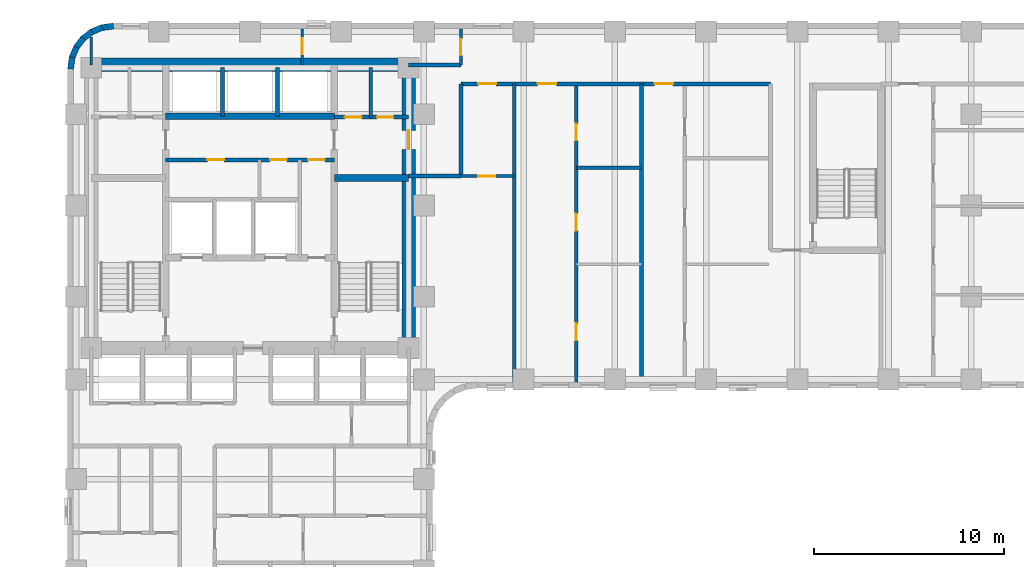
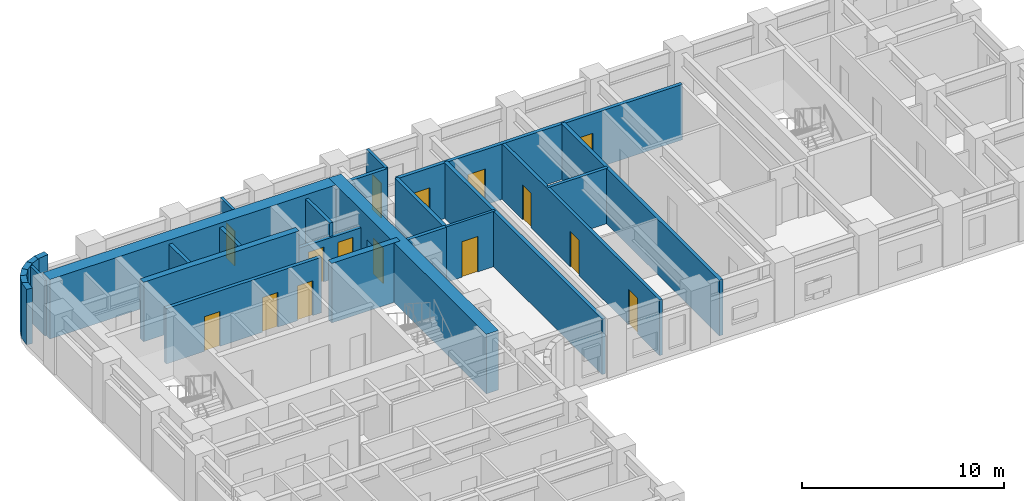
# One storey, part 6 of 11: 27 walls, 15 doors, 15 openings.
"""IFC4 building model written with IfcOpenShell, lengths in metres."""

import ifcopenshell
import ifcopenshell.guid

model = None  # the IFC model being written
_history = None  # IfcOwnerHistory: only IFC2X3 demands one
_inside = {}  # id of a spatial element -> (the spatial element, [elements in it])
_under = {}  # id of a project, library or spatial element -> (it, [spatial elements below it])
_declared = {}  # id of a project -> (the project, [libraries it declares])
_typed = {}  # id of a type object -> (the type object, [elements of that type])
_made_of = {}  # id of a material, layer set ... -> (it, [elements and type objects made of it])


def new_model(schema):
    """Start an empty IFC model of exactly this schema.

    Asked for "IFC4X3", IfcOpenShell would pick the latest addendum, in which some entities
    have other attributes; the version numbers below select the first issue.
    IFC2X3 requires an IfcOwnerHistory on every rooted entity: one is made here for all.
    """
    global model, _history
    if schema == "IFC4X3":
        model = ifcopenshell.file(schema_version=(4, 3, 0, 0))
    else:
        model = ifcopenshell.file(schema=schema)
    _inside.clear()
    _under.clear()
    _declared.clear()
    _typed.clear()
    _made_of.clear()
    _history = None
    if model.schema == "IFC2X3":
        org = make("IfcOrganization", Name="unknown")
        user = make(
            "IfcPersonAndOrganization",
            ThePerson=make("IfcPerson", FamilyName="unknown"),
            TheOrganization=org,
        )
        app = make(
            "IfcApplication",
            ApplicationDeveloper=org,
            Version="unknown",
            ApplicationFullName="unknown",
            ApplicationIdentifier="unknown",
        )
        _history = make(
            "IfcOwnerHistory",
            OwningUser=user,
            OwningApplication=app,
            ChangeAction="ADDED",
            CreationDate=0,
        )
    return model


def make(cls, **values):
    """One entity of the class cls with the attributes given. An attribute that is None is left unset."""
    return model.create_entity(
        cls, **{name: value for name, value in values.items() if value is not None}
    )


def rooted(cls, **values):
    """An entity with a GlobalId (a new one), such as an element, a storey or a relation."""
    return make(cls, GlobalId=ifcopenshell.guid.new(), OwnerHistory=_history, **values)


def si_unit(unit_type, name, prefix=None):
    """IfcSIUnit, for example si_unit("LENGTHUNIT", "METRE", prefix="MILLI")."""
    return make("IfcSIUnit", UnitType=unit_type, Prefix=prefix, Name=name)


def assignment(units):
    """IfcUnitAssignment: the units of a project."""
    return None if units is None else make("IfcUnitAssignment", Units=units)


def point(xyz):
    """IfcCartesianPoint."""
    return None if xyz is None else make("IfcCartesianPoint", Coordinates=xyz)


def direction(xyz):
    """IfcDirection."""
    return None if xyz is None else make("IfcDirection", DirectionRatios=xyz)


def frame(location, z_axis=None, x_axis=None):
    """IfcAxis2Placement3D, a coordinate frame: its origin and axes. An axis left out is left unset."""
    return make(
        "IfcAxis2Placement3D",
        Location=point(location),
        Axis=direction(z_axis),
        RefDirection=direction(x_axis),
    )


def frame_2d(location, x_axis=None):
    """IfcAxis2Placement2D, a coordinate frame in the plane: its origin and x axis."""
    return make(
        "IfcAxis2Placement2D", Location=point(location), RefDirection=direction(x_axis)
    )


def origin():
    """The frame at (0, 0, 0) with its axes left unset."""
    return frame((0.0, 0.0, 0.0))


def place(relative_to, where):
    """IfcLocalPlacement: puts the frame where relative to a parent placement (None: the world)."""
    return make(
        "IfcLocalPlacement", PlacementRelTo=relative_to, RelativePlacement=where
    )


def context(
    kind, dimensions, precision=None, world=None, true_north=None, identifier=None
):
    """IfcGeometricRepresentationContext, for example the 3D "Model" context."""
    return make(
        "IfcGeometricRepresentationContext",
        ContextIdentifier=identifier,
        ContextType=kind,
        CoordinateSpaceDimension=dimensions,
        Precision=precision,
        WorldCoordinateSystem=world,
        TrueNorth=true_north,
    )


def subcontext(parent, identifier, kind, view, scale=None):
    """IfcGeometricRepresentationSubContext, for example "Body" below "Model"."""
    return make(
        "IfcGeometricRepresentationSubContext",
        ContextIdentifier=identifier,
        ContextType=kind,
        ParentContext=parent,
        TargetScale=scale,
        TargetView=view,
    )


def project(units=None, contexts=None):
    """IfcProject with its units and contexts."""
    return rooted(
        "IfcProject",
        Name="project",
        RepresentationContexts=contexts,
        UnitsInContext=assignment(units),
    )


def spatial(cls, under=None, at=None, **own):
    """A site, building, storey or space (cls), placed at a placement, below another one or the project."""
    s = rooted(cls, ObjectPlacement=at, **own)
    if under is not None:
        _under.setdefault(under.id(), (under, []))[1].append(s)
    return s


def profile(cls, at=None, kind="AREA", **sizes):
    """A parametric profile (cls). Its sizes go by their IFC names, for example OverallWidth=200.0."""
    return make(cls, ProfileType=kind, Position=at, **sizes)


def rectangle(**sizes):
    """IfcRectangleProfileDef."""
    return profile("IfcRectangleProfileDef", **sizes)


def extrude(swept, where, along, depth):
    """IfcExtrudedAreaSolid: the profile swept, set in the frame where, extruded along a direction by depth."""
    return make(
        "IfcExtrudedAreaSolid",
        SweptArea=swept,
        Position=where,
        ExtrudedDirection=direction(along),
        Depth=depth,
    )


def shape(context_of_items, identifier, shape_type, items):
    """IfcShapeRepresentation: the items that make up one representation, for example the "Body"."""
    return make(
        "IfcShapeRepresentation",
        ContextOfItems=context_of_items,
        RepresentationIdentifier=identifier,
        RepresentationType=shape_type,
        Items=items,
    )


def material(Name=None, Category=None):
    """IfcMaterial."""
    return make("IfcMaterial", Name=Name, Category=Category)


def layer(
    of_material, thickness, ventilated=None, Name=None, Category=None, Priority=None
):
    """IfcMaterialLayer: one layer of a wall or slab, of a material (None: an air gap)."""
    return make(
        "IfcMaterialLayer",
        Material=of_material,
        LayerThickness=thickness,
        IsVentilated=ventilated,
        Name=Name,
        Category=Category,
        Priority=Priority,
    )


def layer_set(layers, Name=None):
    """IfcMaterialLayerSet."""
    return make("IfcMaterialLayerSet", MaterialLayers=layers, LayerSetName=Name)


def made_of(thing, what):
    """Note that an element or type object is made of a material, layer set ...; save() writes the relation."""
    if what is not None:
        _made_of.setdefault(what.id(), (what, []))[1].append(thing)
    return thing


def type_object(cls, material=None, **own):
    """A type object (cls), such as IfcWallType, which elements share."""
    return made_of(rooted(cls, **own), material)


def element(
    cls,
    number,
    at=None,
    inside=None,
    cuts=None,
    type_object=None,
    material=None,
    context=None,
    identifier="Body",
    shape_type=None,
    held_by="IfcProductDefinitionShape",
    body=None,
    shapes=None,
    **own,
):
    """One element of the class cls, such as IfcWall. Its Tag is "e" and its number.

    at: its placement. inside: the storey or other place that contains it. cuts: it is an
    opening in that element (IfcRelVoidsElement). A single representation is given by context,
    identifier, shape_type and body (its items); several are given by shapes. held_by: the class
    of the entity that holds the representations. save() writes the other relations.
    """
    e = rooted(cls, Tag="e%d" % number, ObjectPlacement=at, **own)
    if body is not None:
        shapes = [shape(context, identifier, shape_type, body)]
    if shapes is not None:
        e.Representation = make(held_by, Representations=shapes)
    if inside is not None:
        _inside.setdefault(inside.id(), (inside, []))[1].append(e)
    if cuts is not None:
        rooted(
            "IfcRelVoidsElement", RelatingBuildingElement=cuts, RelatedOpeningElement=e
        )
    if type_object is not None:
        _typed.setdefault(type_object.id(), (type_object, []))[1].append(e)
    return made_of(e, material)


def fill(opening, filler):
    """IfcRelFillsElement: the door or window that sits in an opening."""
    return rooted(
        "IfcRelFillsElement",
        RelatingOpeningElement=opening,
        RelatedBuildingElement=filler,
    )


def aggregate(whole, parts):
    """IfcRelAggregates: a whole, such as a stair, and the parts it consists of."""
    return rooted("IfcRelAggregates", RelatingObject=whole, RelatedObjects=parts)


def save(model, path):
    """Write the relations noted so far, then the file.

    IfcRelAggregates (storeys below a building ...), IfcRelContainedInSpatialStructure (elements
    in a storey), IfcRelDefinesByType, IfcRelAssociatesMaterial and IfcRelDeclares: one each for
    every whole, place, type object, material and project.
    """
    for whole, parts in _under.values():
        aggregate(whole, parts)
    for where, things in _inside.values():
        rooted(
            "IfcRelContainedInSpatialStructure",
            RelatedElements=things,
            RelatingStructure=where,
        )
    for kind, things in _typed.values():
        rooted("IfcRelDefinesByType", RelatedObjects=things, RelatingType=kind)
    for what, things in _made_of.values():
        rooted("IfcRelAssociatesMaterial", RelatedObjects=things, RelatingMaterial=what)
    for by, libraries in _declared.values():
        rooted("IfcRelDeclares", RelatingContext=by, RelatedDefinitions=libraries)
    model.write(path)


model = new_model("IFC4")

# Units and contexts
model_context = context("Model", 3, precision=1e-05, world=origin(), true_north=direction((0.0, 1.0)))
body_context = subcontext(model_context, "Body", "Model", "MODEL_VIEW")
ifc_project = project(units=[si_unit("LENGTHUNIT", "METRE"), si_unit("AREAUNIT", "SQUARE_METRE"), si_unit("VOLUMEUNIT", "CUBIC_METRE"), si_unit("PLANEANGLEUNIT", "RADIAN"), si_unit("MASSUNIT", "GRAM", prefix="KILO")], contexts=[model_context])

# Site, building, storey
site_placement = place(None, origin())
site = spatial("IfcSite", under=ifc_project, at=site_placement, CompositionType="ELEMENT")
building_placement = place(site_placement, origin())
building = spatial("IfcBuilding", under=site, at=building_placement, Name="Orvandelia Arch Residences", CompositionType="ELEMENT")
storey_placement = place(building_placement, frame((0.0, 0.0, 89.800048828125)))
storey = spatial("IfcBuildingStorey", under=building, at=storey_placement, Name="L23", CompositionType="ELEMENT", Elevation=89.800048828125)

# Walls
ifc_material_1 = material(Name="Concrete C50/60", Category="concrete")
ifc_layer_1 = layer(ifc_material_1, 0.35009765625, Name="Concrete C50/60", Category="concrete")
ifc_layer_set_1 = layer_set([ifc_layer_1], Name="Concrete C50/60")
wall_type_1 = type_object("IfcWallType", Name="WL-CORE-350", PredefinedType="SHEAR", material=ifc_layer_set_1)
wall_1_placement = place(storey_placement, frame((18.840087890625, 39.85009765625, 0.0), z_axis=(0.0, 0.0, 1.0), x_axis=(1.0, 0.0, 0.0)))
element("IfcWall", 1, at=wall_1_placement, inside=storey, type_object=wall_type_1, Name="Core Shear Wall L23-HZ2", PredefinedType="SHEAR", context=body_context, shape_type="SweptSolid", body=[
    extrude(rectangle(XDim=3.909912109375, YDim=0.35009765625, at=frame_2d((1.955078125, 0.0))), origin(), (0.0, 0.0, 1.0), 3.599853515625),
])
wall_2_placement = place(storey_placement, frame((9.9599609375, 43.10009765625, 0.0), z_axis=(0.0, 0.0, 1.0), x_axis=(1.0, 0.0, 0.0)))
element("IfcWall", 2, at=wall_2_placement, inside=storey, type_object=wall_type_1, Name="Core Shear Wall L23-HZ4", PredefinedType="SHEAR", context=body_context, shape_type="SweptSolid", body=[
    extrude(rectangle(XDim=8.880126953125, YDim=0.35009765625, at=frame_2d((4.43994140625, 0.0))), origin(), (0.0, 0.0, 1.0), 3.599853515625),
])

# Wall, opening, door
ifc_material_2 = material(Name="Concrete C80/95", Category="concrete")
ifc_layer_2 = layer(ifc_material_2, 0.699951171875, Name="Concrete C80/95", Category="concrete")
ifc_layer_set_2 = layer_set([ifc_layer_2], Name="Concrete C80/95")
wall_type_2 = type_object("IfcWallType", Name="WL-CORE-700", PredefinedType="SHEAR", material=ifc_layer_set_2)
wall_3_placement = place(storey_placement, frame((22.75, 30.550048828125, 0.0), z_axis=(0.0, 0.0, 1.0), x_axis=(0.0, 1.0, 0.0)))
wall_3 = element("IfcWall", 3, at=wall_3_placement, inside=storey, type_object=wall_type_2, Name="Core Shear Wall L23-E", PredefinedType="SHEAR", context=body_context, shape_type="SweptSolid", body=[
    extrude(rectangle(XDim=15.599853515625, YDim=0.699951171875, at=frame_2d((7.7998046875, 0.0))), origin(), (0.0, 0.0, 1.0), 3.599853515625),
])
opening_1_placement = place(wall_3_placement, frame((10.800048828125, 0.0, 0.0)))
opening_1 = element("IfcOpeningElement", 4, at=opening_1_placement, cuts=wall_3, Name="Opening D6", PredefinedType="OPENING", context=body_context, shape_type="SweptSolid", body=[
    extrude(rectangle(XDim=1.0, YDim=2.14990234375, at=frame_2d((0.5, 1.074951171875))), frame((0.0, 0.35986328125, 0.0), z_axis=(0.0, -1.0, 0.0), x_axis=(1.0, 0.0, 0.0)), (0.0, 0.0, 1.0), 0.719970703125),
])
ifc_material_3 = material(Name="Smokeproof Painted Steel Fire Door", Category="steel")
door_type_1 = type_object("IfcDoorType", Name="DR-FD60-1000", OperationType="NOTDEFINED", PredefinedType="DOOR", material=ifc_material_3)
door_1_placement = place(opening_1_placement, origin())
door_1 = element("IfcDoor", 5, at=door_1_placement, inside=storey, type_object=door_type_1, Name="Core East Corridor Link Door L23", OperationType="SINGLE_SWING_LEFT", OverallHeight=2.14990234375, OverallWidth=1.0, PredefinedType="DOOR", context=body_context, shape_type="SweptSolid", body=[
    extrude(rectangle(XDim=1.0, YDim=2.14990234375, at=frame_2d((0.5, 1.074951171875))), frame((0.0, 0.02490234375, 0.0), z_axis=(0.0, -1.0, 0.0), x_axis=(1.0, 0.0, 0.0)), (0.0, 0.0, 1.0), 0.050048828125),
])
fill(opening_1, door_1)

# Walls
wall_4_placement = place(storey_placement, frame((6.050048828125, 45.800048828125, 0.0), z_axis=(0.0, 0.0, 1.0), x_axis=(1.0, 0.0, 0.0)))
element("IfcWall", 6, at=wall_4_placement, inside=storey, type_object=wall_type_2, Name="Core Shear Wall L23-N", PredefinedType="SHEAR", context=body_context, shape_type="SweptSolid", body=[
    extrude(rectangle(XDim=16.699951171875, YDim=0.699951171875, at=frame_2d((8.35009765625, 0.0))), origin(), (0.0, 0.0, 1.0), 3.599853515625),
])
ifc_material_4 = material(Name="Fire-Rated Corridor Partition")
ifc_layer_3 = layer(ifc_material_4, 0.199951171875, Name="Fire-Rated Corridor Partition")
ifc_layer_set_3 = layer_set([ifc_layer_3], Name="Fire-Rated Corridor Partition")
wall_type_3 = type_object("IfcWallType", Name="WL-CORR-200", PredefinedType="PARTITIONING", material=ifc_layer_set_3)
wall_5_placement = place(storey_placement, frame((22.75, 45.800048828125, 0.0), z_axis=(0.0, 0.0, 1.0), x_axis=(1.0, 0.0, 0.0)))
element("IfcWall", 7, at=wall_5_placement, inside=storey, type_object=wall_type_3, Name="Interior Partition Wall WL-L23-NCE-S", PredefinedType="PARTITIONING", context=body_context, shape_type="SweptSolid", body=[
    extrude(rectangle(XDim=2.75, YDim=0.199951171875, at=frame_2d((1.375, 0.0))), origin(), (0.0, 0.0, 1.0), 3.349853515625),
])

# Wall, openings, doors
wall_6_placement = place(storey_placement, frame((25.5, 44.800048828125, 0.0), z_axis=(0.0, 0.0, 1.0), x_axis=(1.0, 0.0, 0.0)))
wall_6 = element("IfcWall", 8, at=wall_6_placement, inside=storey, type_object=wall_type_3, Name="Interior Partition Wall WL-L23-EN2-S1", PredefinedType="PARTITIONING", context=body_context, shape_type="SweptSolid", body=[
    extrude(rectangle(XDim=16.280029296875, YDim=0.199951171875, at=frame_2d((8.14013671875, 0.0))), origin(), (0.0, 0.0, 1.0), 3.349853515625),
])
opening_2_placement = place(wall_6_placement, frame((0.89990234375, 0.0, 0.0)))
opening_2 = element("IfcOpeningElement", 9, at=opening_2_placement, cuts=wall_6, Name="Opening D2", PredefinedType="OPENING", context=body_context, shape_type="SweptSolid", body=[
    extrude(rectangle(XDim=0.949951171875, YDim=2.14990234375, at=frame_2d((0.47509765625, 1.074951171875))), frame((0.0, 0.10986328125, 0.0), z_axis=(0.0, -1.0, 0.0), x_axis=(1.0, 0.0, 0.0)), (0.0, 0.0, 1.0), 0.219970703125),
])
opening_3_placement = place(wall_6_placement, frame((4.035400390625, 0.0, 0.0)))
opening_3 = element("IfcOpeningElement", 10, at=opening_3_placement, cuts=wall_6, Name="Opening D1", PredefinedType="OPENING", context=body_context, shape_type="SweptSolid", body=[
    extrude(rectangle(XDim=0.97998046875, YDim=2.179931640625, at=frame_2d((0.489990234375, 1.08984375))), frame((0.0, 0.10986328125, 0.0), z_axis=(0.0, -1.0, 0.0), x_axis=(1.0, 0.0, 0.0)), (0.0, 0.0, 1.0), 0.219970703125),
])
opening_4_placement = place(wall_6_placement, frame((10.18994140625, 0.0, 0.0)))
opening_4 = element("IfcOpeningElement", 11, at=opening_4_placement, cuts=wall_6, Name="Opening D1", PredefinedType="OPENING", context=body_context, shape_type="SweptSolid", body=[
    extrude(rectangle(XDim=0.97998046875, YDim=2.179931640625, at=frame_2d((0.489990234375, 1.08984375))), frame((0.0, 0.10986328125, 0.0), z_axis=(0.0, -1.0, 0.0), x_axis=(1.0, 0.0, 0.0)), (0.0, 0.0, 1.0), 0.219970703125),
])
ifc_material_5 = material(Name="Solid-Core Timber Interior Fire Door", Category="wood")
door_type_2 = type_object("IfcDoorType", Name="DR-APT-950", OperationType="NOTDEFINED", PredefinedType="DOOR", material=ifc_material_5)
door_2_placement = place(opening_2_placement, origin())
door_2 = element("IfcDoor", 12, at=door_2_placement, inside=storey, type_object=door_type_2, Name="DR-L23-EN2KLD", OperationType="SINGLE_SWING_LEFT", OverallHeight=2.14990234375, OverallWidth=0.949951171875, PredefinedType="DOOR", context=body_context, shape_type="SweptSolid", body=[
    extrude(rectangle(XDim=0.949951171875, YDim=2.14990234375, at=frame_2d((0.47509765625, 1.074951171875))), frame((0.0, 0.02490234375, 0.0), z_axis=(0.0, -1.0, 0.0), x_axis=(1.0, 0.0, 0.0)), (0.0, 0.0, 1.0), 0.050048828125),
])
fill(opening_2, door_2)
ifc_material_6 = material(Name="Solid-Core Timber Acoustic Fire Door", Category="wood")
door_type_3 = type_object("IfcDoorType", Name="DR-ENT-980", OperationType="NOTDEFINED", PredefinedType="DOOR", material=ifc_material_6)
door_3_placement = place(opening_3_placement, origin())
door_3 = element("IfcDoor", 13, at=door_3_placement, inside=storey, type_object=door_type_3, Name="Unit L23-06 Entrance Door", OperationType="SINGLE_SWING_RIGHT", OverallHeight=2.179931640625, OverallWidth=0.97998046875, PredefinedType="DOOR", context=body_context, shape_type="SweptSolid", body=[
    extrude(rectangle(XDim=0.97998046875, YDim=2.179931640625, at=frame_2d((0.489990234375, 1.08984375))), frame((0.0, 0.02490234375, 0.0), z_axis=(0.0, -1.0, 0.0), x_axis=(1.0, 0.0, 0.0)), (0.0, 0.0, 1.0), 0.050048828125),
])
fill(opening_3, door_3)
door_4_placement = place(opening_4_placement, origin())
door_4 = element("IfcDoor", 14, at=door_4_placement, inside=storey, type_object=door_type_3, Name="Unit L23-07 Entrance Door", OperationType="SINGLE_SWING_LEFT", OverallHeight=2.179931640625, OverallWidth=0.97998046875, PredefinedType="DOOR", context=body_context, shape_type="SweptSolid", body=[
    extrude(rectangle(XDim=0.97998046875, YDim=2.179931640625, at=frame_2d((0.489990234375, 1.08984375))), frame((0.0, 0.02490234375, 0.0), z_axis=(0.0, -1.0, 0.0), x_axis=(1.0, 0.0, 0.0)), (0.0, 0.0, 1.0), 0.050048828125),
])
fill(opening_4, door_4)

# Walls
wall_7_placement = place(storey_placement, frame((25.5, 39.949951171875, 0.0), z_axis=(0.0, 0.0, 1.0), x_axis=(0.0, 1.0, 0.0)))
element("IfcWall", 15, at=wall_7_placement, inside=storey, type_object=wall_type_3, Name="Interior Partition Wall WL-L23-EN2-LW", PredefinedType="PARTITIONING", context=body_context, shape_type="SweptSolid", body=[
    extrude(rectangle(XDim=4.85009765625, YDim=0.199951171875, at=frame_2d((2.425048828125, 0.0))), origin(), (0.0, 0.0, 1.0), 3.349853515625),
])
wall_8_placement = place(storey_placement, frame((22.75, 39.949951171875, 0.0), z_axis=(0.0, 0.0, 1.0), x_axis=(1.0, 0.0, 0.0)))
element("IfcWall", 16, at=wall_8_placement, inside=storey, type_object=wall_type_3, Name="Interior Partition Wall WL-L23-EN2-LS", PredefinedType="PARTITIONING", context=body_context, shape_type="SweptSolid", body=[
    extrude(rectangle(XDim=2.75, YDim=0.199951171875, at=frame_2d((1.375, 0.0))), origin(), (0.0, 0.0, 1.0), 3.349853515625),
])
ifc_material_7 = material(Name="Concrete C40/50", Category="concrete")
ifc_layer_4 = layer(ifc_material_7, 0.199951171875, Name="Concrete C40/50", Category="concrete")
ifc_layer_set_4 = layer_set([ifc_layer_4], Name="Concrete C40/50")
wall_type_4 = type_object("IfcWallType", Name="WL-DEM-200", PredefinedType="SOLIDWALL", material=ifc_layer_set_4)
for number, where, z_axis, x_axis, name in (
    (17, (28.300048828125, 29.1201171875, 0.0), (0.0, 0.0, 1.0), (0.0, 1.0, 0.0), "Interior Partition Wall WL-L23-EN2-KLE"),
    (18, (35.0, 29.1201171875, 0.0), (0.0, 0.0, 1.0), (0.0, 1.0, 0.0), "Interior Partition Wall WL-L23-DEM-EN2-350"),
):
    element("IfcWall", number, at=place(storey_placement, frame(where, z_axis=z_axis, x_axis=x_axis)), inside=storey, type_object=wall_type_4, Name=name, PredefinedType="SOLIDWALL", context=body_context, shape_type="SweptSolid", body=[
        extrude(rectangle(XDim=15.679931640625, YDim=0.199951171875, at=frame_2d((7.83984375, 0.0))), origin(), (0.0, 0.0, 1.0), 3.349853515625),
    ])
ifc_material_8 = material(Name="Precast concrete C40/50", Category="concrete")
ifc_layer_5 = layer(ifc_material_8, 0.320068359375, Name="Precast concrete C40/50", Category="concrete")
ifc_layer_set_5 = layer_set([ifc_layer_5], Name="Precast concrete C40/50")
wall_type_5 = type_object("IfcWallType", Name="WL-EXT-STONE-320", PredefinedType="STANDARD", material=ifc_layer_set_5)
for number, where, z_axis, x_axis, name in (
    (19, (4.95849609375, 45.5791015625, 0.0), (0.0, 0.0, 1.0), (0.130555323746, 0.9914410257, 0.0), "Coral-Limestone Precast Facade Wall L23-001"),
    (20, (5.029541015625, 46.159912109375, 0.0), (0.0, 0.0, 1.0), (0.382650053678, 0.92389335771, 0.0), "Coral-Limestone Precast Facade Wall L23-002"),
):
    element("IfcWall", number, at=place(storey_placement, frame(where, z_axis=z_axis, x_axis=x_axis)), inside=storey, type_object=wall_type_5, Name=name, PredefinedType="STANDARD", context=body_context, shape_type="SweptSolid", body=[
        extrude(rectangle(XDim=0.62646484375, YDim=0.320068359375, at=frame_2d((0.313232421875, 0.0))), origin(), (0.0, 0.0, 1.0), 3.349853515625),
    ])
wall_9_placement = place(storey_placement, frame((5.248291015625, 46.70263671875, 0.0), z_axis=(0.0, 0.0, 1.0), x_axis=(0.608938521285, 0.7932174212, 0.0)))
element("IfcWall", 21, at=wall_9_placement, inside=storey, type_object=wall_type_5, Name="Coral-Limestone Precast Facade Wall L23-003", PredefinedType="STANDARD", context=body_context, shape_type="SweptSolid", body=[
    extrude(rectangle(XDim=0.626708984375, YDim=0.320068359375, at=frame_2d((0.3134765625, 0.0))), origin(), (0.0, 0.0, 1.0), 3.349853515625),
])
wall_10_placement = place(storey_placement, frame((5.600341796875, 47.170166015625, 0.0), z_axis=(0.0, 0.0, 1.0), x_axis=(0.793405610854, 0.608693302629, 0.0)))
element("IfcWall", 22, at=wall_10_placement, inside=storey, type_object=wall_type_5, Name="Coral-Limestone Precast Facade Wall L23-004", PredefinedType="STANDARD", context=body_context, shape_type="SweptSolid", body=[
    extrude(rectangle(XDim=0.62646484375, YDim=0.320068359375, at=frame_2d((0.313232421875, 0.0))), origin(), (0.0, 0.0, 1.0), 3.349853515625),
])
wall_11_placement = place(storey_placement, frame((6.061279296875, 47.53076171875, 0.0), z_axis=(0.0, 0.0, 1.0), x_axis=(0.923836271867, 0.382787856107, 0.0)))
element("IfcWall", 23, at=wall_11_placement, inside=storey, type_object=wall_type_5, Name="Coral-Limestone Precast Facade Wall L23-005", PredefinedType="STANDARD", context=body_context, shape_type="SweptSolid", body=[
    extrude(rectangle(XDim=0.626220703125, YDim=0.320068359375, at=frame_2d((0.31298828125, 0.0))), origin(), (0.0, 0.0, 1.0), 3.349853515625),
])
wall_12_placement = place(storey_placement, frame((6.599609375, 47.759521484375, 0.0), z_axis=(0.0, 0.0, 1.0), x_axis=(0.991447664465, 0.130504898859, 0.0)))
element("IfcWall", 24, at=wall_12_placement, inside=storey, type_object=wall_type_5, Name="Coral-Limestone Precast Facade Wall L23-006", PredefinedType="STANDARD", context=body_context, shape_type="SweptSolid", body=[
    extrude(rectangle(XDim=0.626708984375, YDim=0.320068359375, at=frame_2d((0.3134765625, 0.0))), origin(), (0.0, 0.0, 1.0), 3.349853515625),
])

# Wall, opening, door
ifc_material_9 = material(Name="Acoustic Gypsum Stud Partition")
ifc_layer_6 = layer(ifc_material_9, 0.14990234375, Name="Acoustic Gypsum Stud Partition")
ifc_layer_set_6 = layer_set([ifc_layer_6], Name="Acoustic Gypsum Stud Partition")
wall_type_6 = type_object("IfcWallType", Name="WL-PART-150", PredefinedType="PARTITIONING", material=ifc_layer_set_6)
wall_13_placement = place(storey_placement, frame((25.5, 45.800048828125, 0.0), z_axis=(0.0, 0.0, 1.0), x_axis=(0.0, 1.0, 0.0)))
wall_13 = element("IfcWall", 25, at=wall_13_placement, inside=storey, type_object=wall_type_6, Name="Interior Partition Wall WL-L23-NCE-W", PredefinedType="PARTITIONING", context=body_context, shape_type="SweptSolid", body=[
    extrude(rectangle(XDim=1.8798828125, YDim=0.14990234375, at=frame_2d((0.93994140625, 0.0))), origin(), (0.0, 0.0, 1.0), 3.349853515625),
])
opening_5_placement = place(wall_13_placement, frame((0.5, 0.0, 0.0)))
opening_5 = element("IfcOpeningElement", 26, at=opening_5_placement, cuts=wall_13, Name="Opening D5", PredefinedType="OPENING", context=body_context, shape_type="SweptSolid", body=[
    extrude(rectangle(XDim=0.8798828125, YDim=2.10009765625, at=frame_2d((0.43994140625, 1.050048828125))), frame((0.0, 0.0849609375, 0.0), z_axis=(0.0, -1.0, 0.0), x_axis=(1.0, 0.0, 0.0)), (0.0, 0.0, 1.0), 0.169921875),
])
ifc_material_10 = material(Name="Painted Galvanised Steel Service Door", Category="steel")
door_type_4 = type_object("IfcDoorType", Name="DR-SRV-880", OperationType="NOTDEFINED", PredefinedType="DOOR", material=ifc_material_10)
door_5_placement = place(opening_5_placement, origin())
door_5 = element("IfcDoor", 27, at=door_5_placement, inside=storey, type_object=door_type_4, Name="DR-L23-NCS2", OperationType="SINGLE_SWING_LEFT", OverallHeight=2.10009765625, OverallWidth=0.8798828125, PredefinedType="DOOR", context=body_context, shape_type="SweptSolid", body=[
    extrude(rectangle(XDim=0.8798828125, YDim=2.10009765625, at=frame_2d((0.43994140625, 1.050048828125))), frame((0.0, 0.02490234375, 0.0), z_axis=(0.0, -1.0, 0.0), x_axis=(1.0, 0.0, 0.0)), (0.0, 0.0, 1.0), 0.050048828125),
])
fill(opening_5, door_5)

# Wall
wall_14_placement = place(storey_placement, frame((6.050048828125, 45.800048828125, 0.0), z_axis=(0.0, 0.0, 1.0), x_axis=(0.0, 1.0, 0.0)))
element("IfcWall", 28, at=wall_14_placement, inside=storey, type_object=wall_type_6, Name="Interior Partition Wall WL-L23-NC-W6", PredefinedType="PARTITIONING", context=body_context, shape_type="SweptSolid", body=[
    extrude(rectangle(XDim=1.4599609375, YDim=0.14990234375, at=frame_2d((0.72998046875, 0.0))), origin(), (0.0, 0.0, 1.0), 3.349853515625),
])

# Wall, opening, door
wall_15_placement = place(storey_placement, frame((17.14990234375, 45.800048828125, 0.0), z_axis=(0.0, 0.0, 1.0), x_axis=(0.0, 1.0, 0.0)))
wall_15 = element("IfcWall", 29, at=wall_15_placement, inside=storey, type_object=wall_type_6, Name="Interior Partition Wall WL-L23-NC-M", PredefinedType="PARTITIONING", context=body_context, shape_type="SweptSolid", body=[
    extrude(rectangle(XDim=1.8798828125, YDim=0.14990234375, at=frame_2d((0.93994140625, 0.0))), origin(), (0.0, 0.0, 1.0), 3.349853515625),
])
opening_6_placement = place(wall_15_placement, frame((0.550048828125, 0.0, 0.0)))
opening_6 = element("IfcOpeningElement", 30, at=opening_6_placement, cuts=wall_15, Name="Opening D4", PredefinedType="OPENING", context=body_context, shape_type="SweptSolid", body=[
    extrude(rectangle(XDim=0.860107421875, YDim=2.10009765625, at=frame_2d((0.43017578125, 1.050048828125))), frame((0.0, 0.0849609375, 0.0), z_axis=(0.0, -1.0, 0.0), x_axis=(1.0, 0.0, 0.0)), (0.0, 0.0, 1.0), 0.169921875),
])
ifc_material_11 = material(Name="Moisture-Sealed Timber Bathroom Door", Category="wood")
door_type_5 = type_object("IfcDoorType", Name="DR-WET-900", OperationType="NOTDEFINED", PredefinedType="DOOR", material=ifc_material_11)
door_6_placement = place(opening_6_placement, origin())
door_6 = element("IfcDoor", 31, at=door_6_placement, inside=storey, type_object=door_type_5, Name="DR-L23-NCS1", OperationType="SINGLE_SWING_LEFT", OverallHeight=2.10009765625, OverallWidth=0.860107421875, PredefinedType="DOOR", context=body_context, shape_type="SweptSolid", body=[
    extrude(rectangle(XDim=0.860107421875, YDim=2.10009765625, at=frame_2d((0.43017578125, 1.050048828125))), frame((0.0, 0.02490234375, 0.0), z_axis=(0.0, -1.0, 0.0), x_axis=(1.0, 0.0, 0.0)), (0.0, 0.0, 1.0), 0.050048828125),
])
fill(opening_6, door_6)

wall_16_placement = place(storey_placement, frame((25.5, 39.949951171875, 0.0), z_axis=(0.0, 0.0, 1.0), x_axis=(1.0, 0.0, 0.0)))
wall_16 = element("IfcWall", 32, at=wall_16_placement, inside=storey, type_object=wall_type_6, Name="Interior Partition Wall WL-L23-EN2-KLN", PredefinedType="PARTITIONING", context=body_context, shape_type="SweptSolid", body=[
    extrude(rectangle(XDim=2.800048828125, YDim=0.14990234375, at=frame_2d((1.39990234375, 0.0))), origin(), (0.0, 0.0, 1.0), 3.349853515625),
])
opening_7_placement = place(wall_16_placement, frame((0.89990234375, 0.0, 0.0)))
opening_7 = element("IfcOpeningElement", 33, at=opening_7_placement, cuts=wall_16, Name="Opening D3", PredefinedType="OPENING", context=body_context, shape_type="SweptSolid", body=[
    extrude(rectangle(XDim=0.89990234375, YDim=2.14990234375, at=frame_2d((0.449951171875, 1.074951171875))), frame((0.0, 0.0849609375, 0.0), z_axis=(0.0, -1.0, 0.0), x_axis=(1.0, 0.0, 0.0)), (0.0, 0.0, 1.0), 0.169921875),
])
ifc_material_12 = material(Name="Engineered Timber Flush Door", Category="wood")
door_type_6 = type_object("IfcDoorType", Name="DR-INT-900", OperationType="NOTDEFINED", PredefinedType="DOOR", material=ifc_material_12)
door_7_placement = place(opening_7_placement, origin())
door_7 = element("IfcDoor", 34, at=door_7_placement, inside=storey, type_object=door_type_6, Name="DR-L23-EN2KNK", OperationType="SINGLE_SWING_RIGHT", OverallHeight=2.14990234375, OverallWidth=0.89990234375, PredefinedType="DOOR", context=body_context, shape_type="SweptSolid", body=[
    extrude(rectangle(XDim=0.89990234375, YDim=2.14990234375, at=frame_2d((0.449951171875, 1.074951171875))), frame((0.0, 0.02490234375, 0.0), z_axis=(0.0, -1.0, 0.0), x_axis=(1.0, 0.0, 0.0)), (0.0, 0.0, 1.0), 0.050048828125),
])
fill(opening_7, door_7)

# Wall, openings, doors
ifc_material_13 = material(Name="Fire-Rated Shaft Enclosure Wall")
ifc_layer_7 = layer(ifc_material_13, 0.199951171875, Name="Fire-Rated Shaft Enclosure Wall")
ifc_layer_set_7 = layer_set([ifc_layer_7], Name="Fire-Rated Shaft Enclosure Wall")
wall_type_7 = type_object("IfcWallType", Name="WL-SHAFT-200", PredefinedType="POLYGONAL", material=ifc_layer_set_7)
wall_17_placement = place(storey_placement, frame((9.9599609375, 40.800048828125, 0.0), z_axis=(0.0, 0.0, 1.0), x_axis=(1.0, 0.0, 0.0)))
wall_17 = element("IfcWall", 35, at=wall_17_placement, inside=storey, type_object=wall_type_7, Name="Interior Partition Wall WL-L23-HLH-S", PredefinedType="POLYGONAL", context=body_context, shape_type="SweptSolid", body=[
    extrude(rectangle(XDim=8.880126953125, YDim=0.199951171875, at=frame_2d((4.43994140625, 0.0))), origin(), (0.0, 0.0, 1.0), 3.349853515625),
])
opening_8_placement = place(wall_17_placement, frame((7.5, 0.0, 0.0)))
opening_8 = element("IfcOpeningElement", 36, at=opening_8_placement, cuts=wall_17, Name="Opening D5", PredefinedType="OPENING", context=body_context, shape_type="SweptSolid", body=[
    extrude(rectangle(XDim=0.8798828125, YDim=2.10009765625, at=frame_2d((0.43994140625, 1.050048828125))), frame((0.0, 0.10986328125, 0.0), z_axis=(0.0, -1.0, 0.0), x_axis=(1.0, 0.0, 0.0)), (0.0, 0.0, 1.0), 0.219970703125),
])
opening_9_placement = place(wall_17_placement, frame((2.199951171875, 0.0, 0.0)))
opening_9 = element("IfcOpeningElement", 37, at=opening_9_placement, cuts=wall_17, Name="Opening D5", PredefinedType="OPENING", context=body_context, shape_type="SweptSolid", body=[
    extrude(rectangle(XDim=0.8798828125, YDim=2.10009765625, at=frame_2d((0.43994140625, 1.050048828125))), frame((0.0, 0.10986328125, 0.0), z_axis=(0.0, -1.0, 0.0), x_axis=(1.0, 0.0, 0.0)), (0.0, 0.0, 1.0), 0.219970703125),
])
opening_10_placement = place(wall_17_placement, frame((5.5, 0.0, 0.0)))
opening_10 = element("IfcOpeningElement", 38, at=opening_10_placement, cuts=wall_17, Name="Opening D5", PredefinedType="OPENING", context=body_context, shape_type="SweptSolid", body=[
    extrude(rectangle(XDim=0.8798828125, YDim=2.10009765625, at=frame_2d((0.43994140625, 1.050048828125))), frame((0.0, 0.10986328125, 0.0), z_axis=(0.0, -1.0, 0.0), x_axis=(1.0, 0.0, 0.0)), (0.0, 0.0, 1.0), 0.219970703125),
])
door_8_placement = place(opening_8_placement, origin())
door_8 = element("IfcDoor", 39, at=door_8_placement, inside=storey, type_object=door_type_4, Name="Core Stairway Passage North Fire Door L23", OperationType="SINGLE_SWING_RIGHT", OverallHeight=2.10009765625, OverallWidth=0.8798828125, PredefinedType="DOOR", context=body_context, shape_type="SweptSolid", body=[
    extrude(rectangle(XDim=0.8798828125, YDim=2.10009765625, at=frame_2d((0.43994140625, 1.050048828125))), frame((0.0, 0.02490234375, 0.0), z_axis=(0.0, -1.0, 0.0), x_axis=(1.0, 0.0, 0.0)), (0.0, 0.0, 1.0), 0.050048828125),
])
fill(opening_8, door_8)
door_9_placement = place(opening_9_placement, origin())
door_9 = element("IfcDoor", 40, at=door_9_placement, inside=storey, type_object=door_type_4, Name="DR-L23-CSA1", OperationType="SINGLE_SWING_RIGHT", OverallHeight=2.10009765625, OverallWidth=0.8798828125, PredefinedType="DOOR", context=body_context, shape_type="SweptSolid", body=[
    extrude(rectangle(XDim=0.8798828125, YDim=2.10009765625, at=frame_2d((0.43994140625, 1.050048828125))), frame((0.0, 0.02490234375, 0.0), z_axis=(0.0, -1.0, 0.0), x_axis=(1.0, 0.0, 0.0)), (0.0, 0.0, 1.0), 0.050048828125),
])
fill(opening_9, door_9)
door_10_placement = place(opening_10_placement, origin())
door_10 = element("IfcDoor", 41, at=door_10_placement, inside=storey, type_object=door_type_4, Name="DR-L23-CSA2", OperationType="SINGLE_SWING_LEFT", OverallHeight=2.10009765625, OverallWidth=0.8798828125, PredefinedType="DOOR", context=body_context, shape_type="SweptSolid", body=[
    extrude(rectangle(XDim=0.8798828125, YDim=2.10009765625, at=frame_2d((0.43994140625, 1.050048828125))), frame((0.0, 0.02490234375, 0.0), z_axis=(0.0, -1.0, 0.0), x_axis=(1.0, 0.0, 0.0)), (0.0, 0.0, 1.0), 0.050048828125),
])
fill(opening_10, door_10)

wall_18_placement = place(storey_placement, frame((18.840087890625, 43.050048828125, 0.0), z_axis=(0.0, 0.0, 1.0), x_axis=(1.0, 0.0, 0.0)))
wall_18 = element("IfcWall", 42, at=wall_18_placement, inside=storey, type_object=wall_type_7, Name="Interior Partition Wall WL-L23-HLE-N", PredefinedType="POLYGONAL", context=body_context, shape_type="SweptSolid", body=[
    extrude(rectangle(XDim=3.909912109375, YDim=0.199951171875, at=frame_2d((1.955078125, 0.0))), origin(), (0.0, 0.0, 1.0), 2.530029296875),
])
opening_11_placement = place(wall_18_placement, frame((0.550048828125, 0.0, 0.0)))
opening_11 = element("IfcOpeningElement", 43, at=opening_11_placement, cuts=wall_18, Name="Opening D5", PredefinedType="OPENING", context=body_context, shape_type="SweptSolid", body=[
    extrude(rectangle(XDim=0.8798828125, YDim=2.10009765625, at=frame_2d((0.43994140625, 1.050048828125))), frame((0.0, 0.10986328125, 0.0), z_axis=(0.0, -1.0, 0.0), x_axis=(1.0, 0.0, 0.0)), (0.0, 0.0, 1.0), 0.219970703125),
])
opening_12_placement = place(wall_18_placement, frame((2.25, 0.0, 0.0)))
opening_12 = element("IfcOpeningElement", 44, at=opening_12_placement, cuts=wall_18, Name="Opening D4", PredefinedType="OPENING", context=body_context, shape_type="SweptSolid", body=[
    extrude(rectangle(XDim=0.860107421875, YDim=2.10009765625, at=frame_2d((0.43017578125, 1.050048828125))), frame((0.0, 0.10986328125, 0.0), z_axis=(0.0, -1.0, 0.0), x_axis=(1.0, 0.0, 0.0)), (0.0, 0.0, 1.0), 0.219970703125),
])
door_11_placement = place(opening_11_placement, origin())
door_11 = element("IfcDoor", 45, at=door_11_placement, inside=storey, type_object=door_type_4, Name="DR-L23-CSB1", OperationType="SINGLE_SWING_LEFT", OverallHeight=2.10009765625, OverallWidth=0.8798828125, PredefinedType="DOOR", context=body_context, shape_type="SweptSolid", body=[
    extrude(rectangle(XDim=0.8798828125, YDim=2.10009765625, at=frame_2d((0.43994140625, 1.050048828125))), frame((0.0, 0.02490234375, 0.0), z_axis=(0.0, -1.0, 0.0), x_axis=(1.0, 0.0, 0.0)), (0.0, 0.0, 1.0), 0.050048828125),
])
fill(opening_11, door_11)
door_12_placement = place(opening_12_placement, origin())
door_12 = element("IfcDoor", 46, at=door_12_placement, inside=storey, type_object=door_type_5, Name="DR-L23-CSB2", OperationType="SINGLE_SWING_LEFT", OverallHeight=2.10009765625, OverallWidth=0.860107421875, PredefinedType="DOOR", context=body_context, shape_type="SweptSolid", body=[
    extrude(rectangle(XDim=0.860107421875, YDim=2.10009765625, at=frame_2d((0.43017578125, 1.050048828125))), frame((0.0, 0.02490234375, 0.0), z_axis=(0.0, -1.0, 0.0), x_axis=(1.0, 0.0, 0.0)), (0.0, 0.0, 1.0), 0.050048828125),
])
fill(opening_12, door_12)

# Walls
for number, where, z_axis, x_axis, name in (
    (47, (12.949951171875, 43.10009765625, 0.0), (0.0, 0.0, 1.0), (0.0, 1.0, 0.0), "Interior Partition Wall WL-L23-PHD1"),
    (48, (15.85009765625, 43.10009765625, 0.0), (0.0, 0.0, 1.0), (0.0, 1.0, 0.0), "Interior Partition Wall WL-L23-PHD2"),
):
    element("IfcWall", number, at=place(storey_placement, frame(where, z_axis=z_axis, x_axis=x_axis)), inside=storey, type_object=wall_type_7, Name=name, PredefinedType="POLYGONAL", context=body_context, shape_type="SweptSolid", body=[
        extrude(rectangle(XDim=2.5498046875, YDim=0.199951171875, at=frame_2d((1.27490234375, 0.0))), origin(), (0.0, 0.0, 1.0), 3.349853515625),
    ])
ifc_material_14 = material(Name="Moisture-Resistant Plumbing Wall")
ifc_layer_8 = layer(ifc_material_14, 0.179931640625, Name="Moisture-Resistant Plumbing Wall")
ifc_layer_set_8 = layer_set([ifc_layer_8], Name="Moisture-Resistant Plumbing Wall")
wall_type_8 = type_object("IfcWallType", Name="WL-WET-180", PredefinedType="PLUMBINGWALL", material=ifc_layer_set_8)
wall_19_placement = place(storey_placement, frame((20.75, 43.050048828125, 0.0), z_axis=(0.0, 0.0, 1.0), x_axis=(0.0, 1.0, 0.0)))
element("IfcWall", 49, at=wall_19_placement, inside=storey, type_object=wall_type_8, Name="Interior Partition Wall WL-L23-CSB-1", PredefinedType="PLUMBINGWALL", context=body_context, shape_type="SweptSolid", body=[
    extrude(rectangle(XDim=2.599853515625, YDim=0.179931640625, at=frame_2d((1.2998046875, 0.0))), origin(), (0.0, 0.0, 1.0), 3.349853515625),
])

# Wall, openings, doors
wall_20_placement = place(storey_placement, frame((31.571044921875, 29.1201171875, 0.0), z_axis=(0.0, 0.0, 1.0), x_axis=(0.0, 1.0, 0.0)))
wall_20 = element("IfcWall", 50, at=wall_20_placement, inside=storey, type_object=wall_type_8, Name="Interior Partition Wall WL-L23-U06-VT", PredefinedType="PLUMBINGWALL", context=body_context, shape_type="SweptSolid", body=[
    extrude(rectangle(XDim=15.579833984375, YDim=0.179931640625, at=frame_2d((7.7900390625, 0.0))), origin(), (0.0, 0.0, 1.0), 3.349853515625),
])
opening_13_placement = place(wall_20_placement, frame((2.1826171875, 0.0, 0.0)))
opening_13 = element("IfcOpeningElement", 51, at=opening_13_placement, cuts=wall_20, Name="Opening D3", PredefinedType="OPENING", context=body_context, shape_type="SweptSolid", body=[
    extrude(rectangle(XDim=0.89990234375, YDim=2.14990234375, at=frame_2d((0.449951171875, 1.074951171875))), frame((0.0, 0.10009765625, 0.0), z_axis=(0.0, -1.0, 0.0), x_axis=(1.0, 0.0, 0.0)), (0.0, 0.0, 1.0), 0.199951171875),
])
opening_14_placement = place(wall_20_placement, frame((7.958740234375, 0.0, 0.0)))
opening_14 = element("IfcOpeningElement", 52, at=opening_14_placement, cuts=wall_20, Name="Opening D3", PredefinedType="OPENING", context=body_context, shape_type="SweptSolid", body=[
    extrude(rectangle(XDim=0.89990234375, YDim=2.14990234375, at=frame_2d((0.449951171875, 1.074951171875))), frame((0.0, 0.10009765625, 0.0), z_axis=(0.0, -1.0, 0.0), x_axis=(1.0, 0.0, 0.0)), (0.0, 0.0, 1.0), 0.199951171875),
])
opening_15_placement = place(wall_20_placement, frame((12.710693359375, 0.0, 0.0)))
opening_15 = element("IfcOpeningElement", 53, at=opening_15_placement, cuts=wall_20, Name="Opening D4", PredefinedType="OPENING", context=body_context, shape_type="SweptSolid", body=[
    extrude(rectangle(XDim=0.860107421875, YDim=2.10009765625, at=frame_2d((0.43017578125, 1.050048828125))), frame((0.0, 0.10009765625, 0.0), z_axis=(0.0, -1.0, 0.0), x_axis=(1.0, 0.0, 0.0)), (0.0, 0.0, 1.0), 0.199951171875),
])
door_13_placement = place(opening_13_placement, origin())
door_13 = element("IfcDoor", 54, at=door_13_placement, inside=storey, type_object=door_type_6, Name="DR-L23-U06-BD1", OperationType="SINGLE_SWING_RIGHT", OverallHeight=2.14990234375, OverallWidth=0.89990234375, PredefinedType="DOOR", context=body_context, shape_type="SweptSolid", body=[
    extrude(rectangle(XDim=0.89990234375, YDim=2.14990234375, at=frame_2d((0.449951171875, 1.074951171875))), frame((0.0, 0.02490234375, 0.0), z_axis=(0.0, -1.0, 0.0), x_axis=(1.0, 0.0, 0.0)), (0.0, 0.0, 1.0), 0.050048828125),
])
fill(opening_13, door_13)
door_14_placement = place(opening_14_placement, origin())
door_14 = element("IfcDoor", 55, at=door_14_placement, inside=storey, type_object=door_type_6, Name="DR-L23-U06-KIT", OperationType="SINGLE_SWING_LEFT", OverallHeight=2.14990234375, OverallWidth=0.89990234375, PredefinedType="DOOR", context=body_context, shape_type="SweptSolid", body=[
    extrude(rectangle(XDim=0.89990234375, YDim=2.14990234375, at=frame_2d((0.449951171875, 1.074951171875))), frame((0.0, 0.02490234375, 0.0), z_axis=(0.0, -1.0, 0.0), x_axis=(1.0, 0.0, 0.0)), (0.0, 0.0, 1.0), 0.050048828125),
])
fill(opening_14, door_14)
door_15_placement = place(opening_15_placement, origin())
door_15 = element("IfcDoor", 56, at=door_15_placement, inside=storey, type_object=door_type_5, Name="DR-L23-U06-BTH", OperationType="SINGLE_SWING_RIGHT", OverallHeight=2.10009765625, OverallWidth=0.860107421875, PredefinedType="DOOR", context=body_context, shape_type="SweptSolid", body=[
    extrude(rectangle(XDim=0.860107421875, YDim=2.10009765625, at=frame_2d((0.43017578125, 1.050048828125))), frame((0.0, 0.02490234375, 0.0), z_axis=(0.0, -1.0, 0.0), x_axis=(1.0, 0.0, 0.0)), (0.0, 0.0, 1.0), 0.050048828125),
])
fill(opening_15, door_15)

# Wall
wall_21_placement = place(storey_placement, frame((31.571044921875, 40.383056640625, 0.0), z_axis=(0.0, 0.0, 1.0), x_axis=(1.0, 0.0, 0.0)))
element("IfcWall", 57, at=wall_21_placement, inside=storey, type_object=wall_type_8, Name="Interior Partition Wall WL-L23-U06-H2", PredefinedType="PLUMBINGWALL", context=body_context, shape_type="SweptSolid", body=[
    extrude(rectangle(XDim=3.428955078125, YDim=0.179931640625, at=frame_2d((1.71435546875, 0.0))), origin(), (0.0, 0.0, 1.0), 3.349853515625),
])

save(model, "model.ifc")
